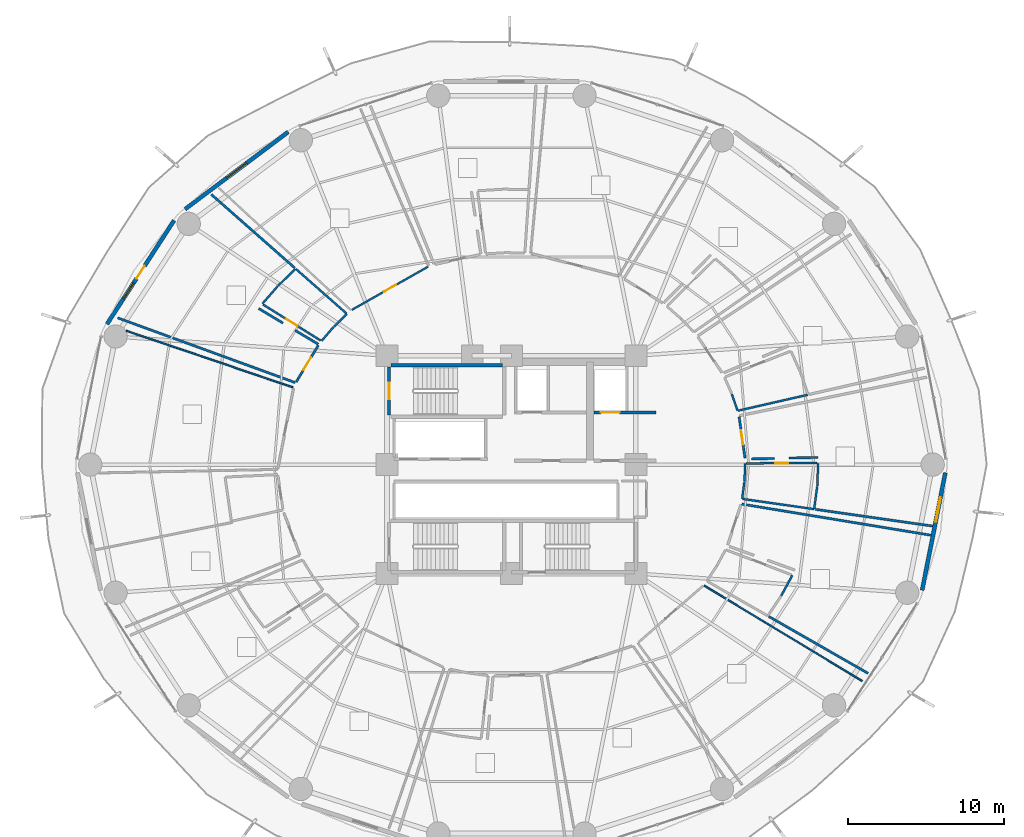
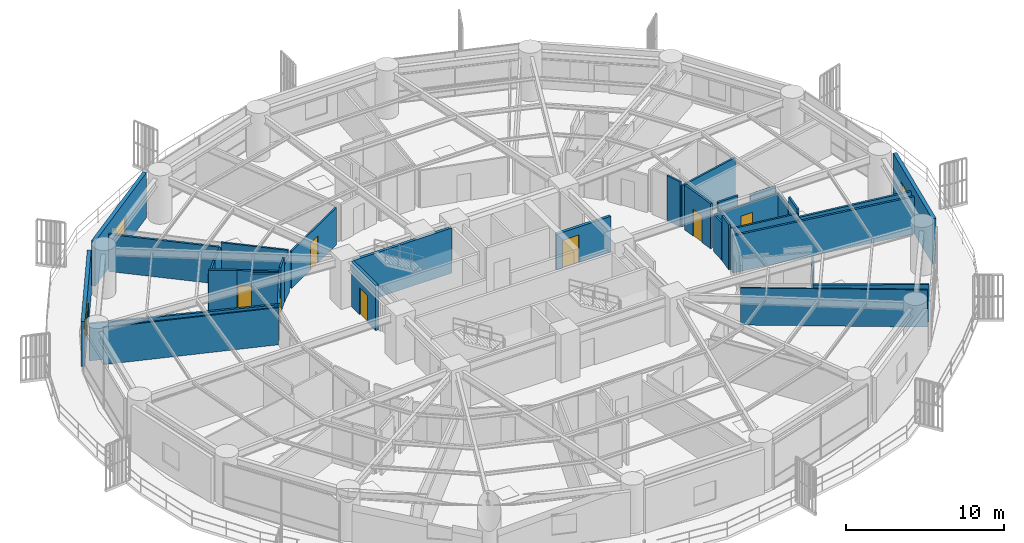
# One storey, part 25 of 33: 35 walls, 8 doors, 3 windows, 11 openings.
"""IFC4 building model written with IfcOpenShell, lengths in metres."""

from ifc_helpers import new_model, si_unit, direction, frame, frame_2d, origin, place, context, subcontext, project, spatial, rectangle, extrude, material, layer, layer_set, type_object, element, fill, save


model = new_model("IFC4")

# Units and contexts
model_context = context("Model", 3, precision=1e-05, world=origin(), true_north=direction((0.0, 1.0)))
body_context = subcontext(model_context, "Body", "Model", "MODEL_VIEW")
ifc_project = project(units=[si_unit("LENGTHUNIT", "METRE"), si_unit("AREAUNIT", "SQUARE_METRE"), si_unit("VOLUMEUNIT", "CUBIC_METRE"), si_unit("PLANEANGLEUNIT", "RADIAN"), si_unit("MASSUNIT", "GRAM", prefix="KILO")], contexts=[model_context])

# Site, building, storey
site_placement = place(None, origin())
site = spatial("IfcSite", under=ifc_project, at=site_placement, CompositionType="ELEMENT")
building_placement = place(site_placement, origin())
building = spatial("IfcBuilding", under=site, at=building_placement, Name="Kelanora Arch Commons", CompositionType="ELEMENT")
storey_placement = place(building_placement, frame((0.0, 0.0, 41.25)))
storey = spatial("IfcBuildingStorey", under=building, at=storey_placement, Name="L10", CompositionType="ELEMENT", Elevation=41.25)

# Wall, opening, door
ifc_material_1 = material(Name="Autoclaved aerated concrete blockwork with fire plaster", Category="masonry")
ifc_layer_1 = layer(ifc_material_1, 0.14990234375)
ifc_layer_set_1 = layer_set([ifc_layer_1], Name="Autoclaved aerated concrete blockwork with fire plaster")
wall_type_1 = type_object("IfcWallType", Name="W-COMP-150", PredefinedType="PARTITIONING", material=ifc_layer_set_1)
wall_1_placement = place(storey_placement, frame((61.5830078125, 65.669677734375, 0.0), z_axis=(0.0, 0.0, 1.0), x_axis=(-0.515343511704, -0.85698370168, 0.0)))
wall_1 = element("IfcWall", 1, at=wall_1_placement, inside=storey, type_object=wall_type_1, Name="Co-Living Studio L10-06 Entry Partition", PredefinedType="PARTITIONING", context=body_context, shape_type="SweptSolid", body=[
    extrude(rectangle(XDim=2.751953125, YDim=0.14990234375, at=frame_2d((1.3759765625, 0.0))), origin(), (0.0, 0.0, 1.0), 2.875),
])
opening_1_placement = place(wall_1_placement, frame((0.90087890625, 0.0, 0.0)))
opening_1 = element("IfcOpeningElement", 2, at=opening_1_placement, cuts=wall_1, Name="Opening D-CLU1", PredefinedType="OPENING", context=body_context, shape_type="SweptSolid", body=[
    extrude(rectangle(XDim=0.949951171875, YDim=2.080078125, at=frame_2d((0.47509765625, 1.0400390625))), frame((0.0, 0.0849609375, 0.0), z_axis=(0.0, -1.0, 0.0), x_axis=(1.0, 0.0, 0.0)), (0.0, 0.0, 1.0), 0.169921875),
])
ifc_material_2 = material(Name="Solid-core acoustic timber cluster entry fire door", Category="wood")
door_type_1 = type_object("IfcDoorType", Name="D-CLU-95", OperationType="NOTDEFINED", PredefinedType="DOOR", material=ifc_material_2)
door_1_placement = place(opening_1_placement, origin())
door_1 = element("IfcDoor", 3, at=door_1_placement, inside=storey, type_object=door_type_1, Name="Co-Living Studio L10-06 Door", OperationType="SINGLE_SWING_RIGHT", OverallHeight=2.080078125, OverallWidth=0.949951171875, PredefinedType="DOOR", context=body_context, shape_type="SweptSolid", body=[
    extrude(rectangle(XDim=0.949951171875, YDim=2.080078125, at=frame_2d((0.47509765625, 1.0400390625))), frame((0.0, 0.02490234375, 0.0), z_axis=(0.0, -1.0, 0.0), x_axis=(1.0, 0.0, 0.0)), (0.0, 0.0, 1.0), 0.050048828125),
])
fill(opening_1, door_1)

wall_2_placement = place(storey_placement, frame((89.0166015625, 58.414306640625, 0.0), z_axis=(0.0, 0.0, 1.0), x_axis=(-0.141700939895, 0.989909512851, 0.0)))
wall_2 = element("IfcWall", 4, at=wall_2_placement, inside=storey, type_object=wall_type_1, Name="Co-Living Studio L10-15 Entry Partition", PredefinedType="PARTITIONING", context=body_context, shape_type="SweptSolid", body=[
    extrude(rectangle(XDim=2.689453125, YDim=0.14990234375, at=frame_2d((1.3447265625, 0.0))), origin(), (0.0, 0.0, 1.0), 3.47998046875),
])
opening_2_placement = place(wall_2_placement, frame((0.8701171875, 0.0, 0.0)))
opening_2 = element("IfcOpeningElement", 5, at=opening_2_placement, cuts=wall_2, Name="Opening D-CLU1", PredefinedType="OPENING", context=body_context, shape_type="SweptSolid", body=[
    extrude(rectangle(XDim=0.949951171875, YDim=2.080078125, at=frame_2d((0.47509765625, 1.0400390625))), frame((0.0, 0.0849609375, 0.0), z_axis=(0.0, -1.0, 0.0), x_axis=(1.0, 0.0, 0.0)), (0.0, 0.0, 1.0), 0.169921875),
])
door_2_placement = place(opening_2_placement, origin())
door_2 = element("IfcDoor", 6, at=door_2_placement, inside=storey, type_object=door_type_1, Name="Co-Living Studio L10-15 Door", OperationType="SINGLE_SWING_RIGHT", OverallHeight=2.080078125, OverallWidth=0.949951171875, PredefinedType="DOOR", context=body_context, shape_type="SweptSolid", body=[
    extrude(rectangle(XDim=0.949951171875, YDim=2.080078125, at=frame_2d((0.47509765625, 1.0400390625))), frame((0.0, 0.02490234375, 0.0), z_axis=(0.0, -1.0, 0.0), x_axis=(1.0, 0.0, 0.0)), (0.0, 0.0, 1.0), 0.050048828125),
])
fill(opening_2, door_2)

# Walls
wall_3_placement = place(storey_placement, frame((60.096435546875, 63.273681640625, 0.0), z_axis=(0.0, 0.0, 1.0), x_axis=(-0.939512545551, 0.342514491304, 0.0)))
element("IfcWall", 7, at=wall_3_placement, inside=storey, type_object=wall_type_1, Name="Co-Living Studio L10-06 Enclosure Partition 2", PredefinedType="PARTITIONING", context=body_context, shape_type="SweptSolid", body=[
    extrude(rectangle(XDim=12.14453125, YDim=0.14990234375, at=frame_2d((6.072265625, 0.0))), origin(), (0.0, 0.0, 1.0), 2.875),
])
wall_4_placement = place(storey_placement, frame((54.700927734375, 75.37353515625, 0.0), z_axis=(0.0, 0.0, 1.0), x_axis=(0.750492781032, -0.660878646666, 0.0)))
element("IfcWall", 8, at=wall_4_placement, inside=storey, type_object=wall_type_1, Name="Co-Living Studio L10-06 Enclosure Partition 5", PredefinedType="PARTITIONING", context=body_context, shape_type="SweptSolid", body=[
    extrude(rectangle(XDim=7.154052734375, YDim=0.14990234375, at=frame_2d((3.5771484375, 0.0))), origin(), (0.0, 0.0, 1.0), 2.875),
])
wall_5_placement = place(storey_placement, frame((57.750244140625, 68.036376953125, 0.0), z_axis=(0.0, 0.0, 1.0), x_axis=(0.857787746423, -0.514004068161, 0.0)))
element("IfcWall", 9, at=wall_5_placement, inside=storey, type_object=wall_type_1, Name="Co-Living Studio L10-06 Enclosure Partition 7", PredefinedType="PARTITIONING", context=body_context, shape_type="SweptSolid", body=[
    extrude(rectangle(XDim=1.825927734375, YDim=0.14990234375, at=frame_2d((0.9130859375, 0.0))), origin(), (0.0, 0.0, 1.0), 3.47998046875),
])
wall_6_placement = place(storey_placement, frame((60.105712890625, 66.625, 0.0), z_axis=(0.0, 0.0, 1.0), x_axis=(0.8577560852, -0.514056901814, 0.0)))
element("IfcWall", 10, at=wall_6_placement, inside=storey, type_object=wall_type_1, Name="Co-Living Studio L10-06 Enclosure Partition 7", PredefinedType="PARTITIONING", context=body_context, shape_type="SweptSolid", body=[
    extrude(rectangle(XDim=1.71826171875, YDim=0.14990234375, at=frame_2d((0.859130859375, 0.0))), origin(), (0.0, 0.0, 1.0), 3.235107421875),
])
wall_7_placement = place(storey_placement, frame((88.80859375, 55.46240234375, 0.0), z_axis=(0.0, 0.0, 1.0), x_axis=(0.986716632482, -0.162450876217, 0.0)))
element("IfcWall", 11, at=wall_7_placement, inside=storey, type_object=wall_type_1, Name="Co-Living Studio L10-14 Enclosure Partition 2", PredefinedType="PARTITIONING", context=body_context, shape_type="SweptSolid", body=[
    extrude(rectangle(XDim=12.3173828125, YDim=0.14990234375, at=frame_2d((6.15869140625, 0.0))), origin(), (0.0, 0.0, 1.0), 2.875),
])
wall_8_placement = place(storey_placement, frame((96.933349609375, 44.579833984375, 0.0), z_axis=(0.0, 0.0, 1.0), x_axis=(-0.8678833592, 0.496768029188, 0.0)))
element("IfcWall", 12, at=wall_8_placement, inside=storey, type_object=wall_type_1, Name="Co-Living Studio L10-14 Enclosure Partition 5", PredefinedType="PARTITIONING", context=body_context, shape_type="SweptSolid", body=[
    extrude(rectangle(XDim=7.354248046875, YDim=0.14990234375, at=frame_2d((3.67724609375, 0.0))), origin(), (0.0, 0.0, 1.0), 2.875),
])
wall_9_placement = place(storey_placement, frame((101.079345703125, 54.0498046875, 0.0), z_axis=(0.0, 0.0, 1.0), x_axis=(-0.989977686675, 0.141223864432, 0.0)))
element("IfcWall", 13, at=wall_9_placement, inside=storey, type_object=wall_type_1, Name="Co-Living Studio L10-15 Enclosure Partition 5", PredefinedType="PARTITIONING", context=body_context, shape_type="SweptSolid", body=[
    extrude(rectangle(XDim=7.615234375, YDim=0.14990234375, at=frame_2d((3.8076171875, 0.0))), origin(), (0.0, 0.0, 1.0), 2.875),
])
wall_10_placement = place(storey_placement, frame((93.714111328125, 58.462158203125, 0.0), z_axis=(0.0, 0.0, 1.0), x_axis=(-0.999738877823, -0.02285117435, 0.0)))
element("IfcWall", 14, at=wall_10_placement, inside=storey, type_object=wall_type_1, Name="Co-Living Studio L10-15 Enclosure Partition 7", PredefinedType="PARTITIONING", context=body_context, shape_type="SweptSolid", body=[
    extrude(rectangle(XDim=1.88037109375, YDim=0.14990234375, at=frame_2d((0.940185546875, 0.0))), origin(), (0.0, 0.0, 1.0), 3.175048828125),
])
wall_11_placement = place(storey_placement, frame((90.914306640625, 58.398193359375, 0.0), z_axis=(0.0, 0.0, 1.0), x_axis=(-0.999738792571, -0.022854903814, 0.0)))
element("IfcWall", 15, at=wall_11_placement, inside=storey, type_object=wall_type_1, Name="Co-Living Studio L10-15 Enclosure Partition 7", PredefinedType="PARTITIONING", context=body_context, shape_type="SweptSolid", body=[
    extrude(rectangle(XDim=1.49560546875, YDim=0.14990234375, at=frame_2d((0.747802734375, 0.0))), origin(), (0.0, 0.0, 1.0), 3.47998046875),
])

# Wall, opening, window
ifc_material_3 = material(Name="Precast concrete C40/50 with terracotta rainscreen", Category="masonry")
ifc_layer_2 = layer(ifc_material_3, 0.260009765625)
ifc_layer_set_2 = layer_set([ifc_layer_2], Name="Precast concrete C40/50 with terracotta rainscreen")
wall_type_2 = type_object("IfcWallType", Name="W-EXT-TC", PredefinedType="SOLIDWALL", material=ifc_layer_set_2)
wall_12_placement = place(storey_placement, frame((59.651123046875, 79.38916015625, 0.0), z_axis=(0.0, 0.0, 1.0), x_axis=(-0.80030733173, -0.599590005569, 0.0)))
wall_12 = element("IfcWall", 16, at=wall_12_placement, inside=storey, type_object=wall_type_2, Name="Terracotta Exterior Wall L10-B06", PredefinedType="SOLIDWALL", context=body_context, shape_type="SweptSolid", body=[
    extrude(rectangle(XDim=8.29052734375, YDim=0.260009765625, at=frame_2d((4.145263671875, 0.0))), origin(), (0.0, 0.0, 1.0), 3.47509765625),
])
opening_3_placement = place(wall_12_placement, frame((3.344970703125, 0.0, 0.85009765625)))
opening_3 = element("IfcOpeningElement", 17, at=opening_3_placement, cuts=wall_12, Name="Opening WN-01", PredefinedType="OPENING", context=body_context, shape_type="SweptSolid", body=[
    extrude(rectangle(XDim=1.60009765625, YDim=1.449951171875, at=frame_2d((0.800048828125, 0.72509765625))), frame((0.0, 0.14013671875, 0.0), z_axis=(0.0, -1.0, 0.0), x_axis=(1.0, 0.0, 0.0)), (0.0, 0.0, 1.0), 0.280029296875),
])
ifc_material_4 = material(Name="Terracotta-anodised aluminium frame with operable low-E glazing", Category="masonry")
window_type_1 = type_object("IfcWindowType", Name="WIN-CL-18", PartitioningType="DOUBLE_PANEL_VERTICAL", PredefinedType="WINDOW", material=ifc_material_4)
window_1_placement = place(opening_3_placement, origin())
window_1 = element("IfcWindow", 18, at=window_1_placement, inside=storey, type_object=window_type_1, Name="Co-Living Operable Window L10-B06", OverallHeight=1.449951171875, OverallWidth=1.60009765625, PartitioningType="SINGLE_PANEL", PredefinedType="WINDOW", context=body_context, shape_type="SweptSolid", body=[
    extrude(rectangle(XDim=1.60009765625, YDim=1.449951171875, at=frame_2d((0.800048828125, 0.72509765625))), frame((0.0, 0.030029296875, 0.0), z_axis=(0.0, -1.0, 0.0), x_axis=(1.0, 0.0, 0.0)), (0.0, 0.0, 1.0), 0.06005859375),
])
fill(opening_3, window_1)

# Wall, openings, door, window
wall_13_placement = place(storey_placement, frame((52.310791015625, 73.698486328125, 0.0), z_axis=(0.0, 0.0, 1.0), x_axis=(-0.543005114258, -0.839729388488, 0.0)))
wall_13 = element("IfcWall", 19, at=wall_13_placement, inside=storey, type_object=wall_type_2, Name="Terracotta Exterior Wall L10-B07", PredefinedType="SOLIDWALL", context=body_context, shape_type="SweptSolid", body=[
    extrude(rectangle(XDim=7.9375, YDim=0.260009765625, at=frame_2d((3.96875, 0.0))), origin(), (0.0, 0.0, 1.0), 3.47509765625),
])
opening_4_placement = place(wall_13_placement, frame((3.493896484375, 0.0, 0.0)))
opening_4 = element("IfcOpeningElement", 20, at=opening_4_placement, cuts=wall_13, Name="Opening DB-01", PredefinedType="OPENING", context=body_context, shape_type="SweptSolid", body=[
    extrude(rectangle(XDim=0.949951171875, YDim=2.10009765625, at=frame_2d((0.47509765625, 1.050048828125))), frame((0.0, 0.14013671875, 0.0), z_axis=(0.0, -1.0, 0.0), x_axis=(1.0, 0.0, 0.0)), (0.0, 0.0, 1.0), 0.280029296875),
])
opening_5_placement = place(wall_13_placement, frame((4.7939453125, 0.0, 0.85009765625)))
opening_5 = element("IfcOpeningElement", 21, at=opening_5_placement, cuts=wall_13, Name="Opening WN-02", PredefinedType="OPENING", context=body_context, shape_type="SweptSolid", body=[
    extrude(rectangle(XDim=1.199951171875, YDim=1.449951171875, at=frame_2d((0.60009765625, 0.72509765625))), frame((0.0, 0.14013671875, 0.0), z_axis=(0.0, -1.0, 0.0), x_axis=(1.0, 0.0, 0.0)), (0.0, 0.0, 1.0), 0.280029296875),
])
ifc_material_5 = material(Name="Terracotta-aluminium thermally broken glazed balcony door", Category="masonry")
door_type_2 = type_object("IfcDoorType", Name="D-BAL-10", OperationType="NOTDEFINED", PredefinedType="DOOR", material=ifc_material_5)
door_3_placement = place(opening_4_placement, frame((0.949951171875, 0.0, 0.0), z_axis=(0.0, 0.0, 1.0), x_axis=(-1.0, 0.0, 0.0)))
door_3 = element("IfcDoor", 22, at=door_3_placement, inside=storey, type_object=door_type_2, Name="Wave Balcony Door L10-B07", OperationType="SINGLE_SWING_RIGHT", OverallHeight=2.10009765625, OverallWidth=0.949951171875, PredefinedType="DOOR", context=body_context, shape_type="SweptSolid", body=[
    extrude(rectangle(XDim=0.949951171875, YDim=2.10009765625, at=frame_2d((0.47509765625, 1.050048828125))), frame((0.0, 0.02490234375, 0.0), z_axis=(0.0, -1.0, 0.0), x_axis=(1.0, 0.0, 0.0)), (0.0, 0.0, 1.0), 0.050048828125),
])
fill(opening_4, door_3)
ifc_material_6 = material(Name="Terracotta-anodised aluminium frame with operable awning sash", Category="masonry")
window_type_2 = type_object("IfcWindowType", Name="WIN-CL-12", PartitioningType="SINGLE_PANEL", PredefinedType="WINDOW", material=ifc_material_6)
window_2_placement = place(opening_5_placement, origin())
window_2 = element("IfcWindow", 23, at=window_2_placement, inside=storey, type_object=window_type_2, Name="Co-Living Operable Window L10-B07", OverallHeight=1.449951171875, OverallWidth=1.199951171875, PartitioningType="SINGLE_PANEL", PredefinedType="WINDOW", context=body_context, shape_type="SweptSolid", body=[
    extrude(rectangle(XDim=1.199951171875, YDim=1.449951171875, at=frame_2d((0.60009765625, 0.72509765625))), frame((0.0, 0.030029296875, 0.0), z_axis=(0.0, -1.0, 0.0), x_axis=(1.0, 0.0, 0.0)), (0.0, 0.0, 1.0), 0.06005859375),
])
fill(opening_5, window_2)

# Wall, opening, window
wall_14_placement = place(storey_placement, frame((100.404296875, 49.919921875, 0.0), z_axis=(0.0, 0.0, 1.0), x_axis=(0.193726159581, 0.98105564322, 0.0)))
wall_14 = element("IfcWall", 24, at=wall_14_placement, inside=storey, type_object=wall_type_2, Name="Terracotta Exterior Wall L10-B17", PredefinedType="SOLIDWALL", context=body_context, shape_type="SweptSolid", body=[
    extrude(rectangle(XDim=7.70263671875, YDim=0.260009765625, at=frame_2d((3.851318359375, 0.0))), origin(), (0.0, 0.0, 1.0), 3.47509765625),
])
opening_6_placement = place(wall_14_placement, frame((4.490966796875, 0.0, 0.85009765625)))
opening_6 = element("IfcOpeningElement", 25, at=opening_6_placement, cuts=wall_14, Name="Opening WN-01", PredefinedType="OPENING", context=body_context, shape_type="SweptSolid", body=[
    extrude(rectangle(XDim=1.60009765625, YDim=1.449951171875, at=frame_2d((0.800048828125, 0.72509765625))), frame((0.0, 0.14013671875, 0.0), z_axis=(0.0, -1.0, 0.0), x_axis=(1.0, 0.0, 0.0)), (0.0, 0.0, 1.0), 0.280029296875),
])
window_3_placement = place(opening_6_placement, origin())
window_3 = element("IfcWindow", 26, at=window_3_placement, inside=storey, type_object=window_type_1, Name="Co-Living Operable Window L10-B17", OverallHeight=1.449951171875, OverallWidth=1.60009765625, PartitioningType="SINGLE_PANEL", PredefinedType="WINDOW", context=body_context, shape_type="SweptSolid", body=[
    extrude(rectangle(XDim=1.60009765625, YDim=1.449951171875, at=frame_2d((0.800048828125, 0.72509765625))), frame((0.0, 0.030029296875, 0.0), z_axis=(0.0, -1.0, 0.0), x_axis=(1.0, 0.0, 0.0)), (0.0, 0.0, 1.0), 0.06005859375),
])
fill(opening_6, window_3)

# Wall, opening, door
ifc_material_7 = material(Name="Concrete C40/50", Category="concrete")
ifc_layer_3 = layer(ifc_material_7, 0.199951171875)
ifc_layer_set_3 = layer_set([ifc_layer_3], Name="Concrete C40/50")
wall_type_3 = type_object("IfcWallType", Name="W-FFL-200", PredefinedType="SOLIDWALL", material=ifc_layer_set_3)
wall_15_placement = place(storey_placement, frame((79.300048828125, 61.35009765625, 0.0), z_axis=(0.0, 0.0, 1.0), x_axis=(1.0, 0.0, 0.0)))
wall_15 = element("IfcWall", 27, at=wall_15_placement, inside=storey, type_object=wall_type_3, Name="Firefighting Lift 2 Shaft Front L10", PredefinedType="SOLIDWALL", context=body_context, shape_type="SweptSolid", body=[
    extrude(rectangle(XDim=4.0, YDim=0.199951171875, at=frame_2d((2.0, 0.0))), origin(), (0.0, 0.0, 1.0), 2.77490234375),
])
opening_7_placement = place(wall_15_placement, frame((0.449951171875, 0.0, 0.0)))
opening_7 = element("IfcOpeningElement", 28, at=opening_7_placement, cuts=wall_15, Name="Opening LD-FF", PredefinedType="OPENING", context=body_context, shape_type="SweptSolid", body=[
    extrude(rectangle(XDim=1.199951171875, YDim=2.14990234375, at=frame_2d((0.60009765625, 1.074951171875))), frame((0.0, 0.10986328125, 0.0), z_axis=(0.0, -1.0, 0.0), x_axis=(1.0, 0.0, 0.0)), (0.0, 0.0, 1.0), 0.219970703125),
])
ifc_material_8 = material(Name="Fire-rated firefighters lift sliding landing door")
door_type_3 = type_object("IfcDoorType", Name="D-LIFT-FF", OperationType="NOTDEFINED", PredefinedType="DOOR", material=ifc_material_8)
door_4_placement = place(opening_7_placement, origin())
door_4 = element("IfcDoor", 29, at=door_4_placement, inside=storey, type_object=door_type_3, Name="Firefighting Lift LF-FF2 Landing Door L10", OperationType="DOUBLE_DOOR_SLIDING", OverallHeight=2.14990234375, OverallWidth=1.199951171875, PredefinedType="DOOR", context=body_context, shape_type="SweptSolid", body=[
    extrude(rectangle(XDim=1.199951171875, YDim=2.14990234375, at=frame_2d((0.60009765625, 1.074951171875))), frame((0.0, 0.02490234375, 0.0), z_axis=(0.0, -1.0, 0.0), x_axis=(1.0, 0.0, 0.0)), (0.0, 0.0, 1.0), 0.050048828125),
])
fill(opening_7, door_4)

# Walls
ifc_material_9 = material(Name="Lightweight fire-rated acoustic stud partition")
ifc_layer_4 = layer(ifc_material_9, 0.10009765625)
ifc_layer_set_4 = layer_set([ifc_layer_4], Name="Lightweight fire-rated acoustic stud partition")
wall_type_4 = type_object("IfcWallType", Name="W-PART-100", PredefinedType="PARTITIONING", material=ifc_layer_set_4)
wall_16_placement = place(storey_placement, frame((49.23291015625, 66.60791015625, 0.0), z_axis=(0.0, 0.0, 1.0), x_axis=(0.946848647549, -0.321679403499, 0.0)))
element("IfcWall", 30, at=wall_16_placement, inside=storey, type_object=wall_type_4, Name="Quiet Seminar Study Room L10-07 Enclosure Partition 4", PredefinedType="PARTITIONING", context=body_context, shape_type="SweptSolid", body=[
    extrude(rectangle(XDim=11.328125, YDim=0.10009765625, at=frame_2d((5.6640625, 0.0))), origin(), (0.0, 0.0, 1.0), 2.875),
])
wall_17_placement = place(storey_placement, frame((86.39111328125, 50.22021484375, 0.0), z_axis=(0.0, 0.0, 1.0), x_axis=(0.856195030458, -0.516652755551, 0.0)))
element("IfcWall", 31, at=wall_17_placement, inside=storey, type_object=wall_type_4, Name="Quiet Seminar Study Room L10-13 Enclosure Partition 2", PredefinedType="PARTITIONING", context=body_context, shape_type="SweptSolid", body=[
    extrude(rectangle(XDim=11.87548828125, YDim=0.10009765625, at=frame_2d((5.937744140625, 0.0))), origin(), (0.0, 0.0, 1.0), 2.875),
])

# Wall, opening, door
ifc_material_10 = material(Name="Acoustic twin-stud fire-rated gypsum partition")
ifc_layer_5 = layer(ifc_material_10, 0.1201171875)
ifc_layer_set_5 = layer_set([ifc_layer_5], Name="Acoustic twin-stud fire-rated gypsum partition")
wall_type_5 = type_object("IfcWallType", Name="W-PART-120", PredefinedType="PARTITIONING", material=ifc_layer_set_5)
wall_18_placement = place(storey_placement, frame((68.634765625, 70.720458984375, 0.0), z_axis=(0.0, 0.0, 1.0), x_axis=(-0.870068136537, -0.49293147372, 0.0)))
wall_18 = element("IfcWall", 32, at=wall_18_placement, inside=storey, type_object=wall_type_5, Name="Social Sky Lounge L10-05 Entry Partition", PredefinedType="PARTITIONING", context=body_context, shape_type="SweptSolid", body=[
    extrude(rectangle(XDim=5.620849609375, YDim=0.1201171875, at=frame_2d((2.810546875, 0.0))), origin(), (0.0, 0.0, 1.0), 2.875),
])
opening_8_placement = place(wall_18_placement, frame((2.360107421875, 0.0, 0.0)))
opening_8 = element("IfcOpeningElement", 33, at=opening_8_placement, cuts=wall_18, Name="Opening D-RM1", PredefinedType="OPENING", context=body_context, shape_type="SweptSolid", body=[
    extrude(rectangle(XDim=0.89990234375, YDim=2.080078125, at=frame_2d((0.449951171875, 1.0400390625))), frame((0.0, 0.070068359375, 0.0), z_axis=(0.0, -1.0, 0.0), x_axis=(1.0, 0.0, 0.0)), (0.0, 0.0, 1.0), 0.14013671875),
])
ifc_material_11 = material(Name="Acoustic fire-rated timber study and lounge door", Category="wood")
door_type_4 = type_object("IfcDoorType", Name="D-ROOM-90", OperationType="NOTDEFINED", PredefinedType="DOOR", material=ifc_material_11)
door_5_placement = place(opening_8_placement, origin())
door_5 = element("IfcDoor", 34, at=door_5_placement, inside=storey, type_object=door_type_4, Name="Social Sky Lounge L10-05 Door", OperationType="SINGLE_SWING_RIGHT", OverallHeight=2.080078125, OverallWidth=0.89990234375, PredefinedType="DOOR", context=body_context, shape_type="SweptSolid", body=[
    extrude(rectangle(XDim=0.89990234375, YDim=2.080078125, at=frame_2d((0.449951171875, 1.0400390625))), frame((0.0, 0.02490234375, 0.0), z_axis=(0.0, -1.0, 0.0), x_axis=(1.0, 0.0, 0.0)), (0.0, 0.0, 1.0), 0.050048828125),
])
fill(opening_8, door_5)

# Wall
ifc_layer_6 = layer(ifc_material_7, 0.199951171875)
ifc_layer_set_6 = layer_set([ifc_layer_6], Name="Concrete C40/50")
wall_type_6 = type_object("IfcWallType", Name="W-STAIR-200", PredefinedType="SHEAR", material=ifc_layer_set_6)
wall_19_placement = place(storey_placement, frame((73.419921875, 64.389892578125, 0.0), z_axis=(0.0, 0.0, 1.0), x_axis=(-1.0, 0.0, 0.0)))
element("IfcWall", 35, at=wall_19_placement, inside=storey, type_object=wall_type_6, Name="Stair ST-T1 Shaft Wall N L10", PredefinedType="SHEAR", context=body_context, shape_type="SweptSolid", body=[
    extrude(rectangle(XDim=7.159912109375, YDim=0.199951171875, at=frame_2d((3.580078125, 0.0))), origin(), (0.0, 0.0, 1.0), 3.489990234375),
])

# Wall, opening, door
wall_20_placement = place(storey_placement, frame((66.139892578125, 64.27001953125, 0.0), z_axis=(0.0, 0.0, 1.0), x_axis=(0.0, -1.0, 0.0)))
wall_20 = element("IfcWall", 36, at=wall_20_placement, inside=storey, type_object=wall_type_6, Name="Stair ST-T1 Shaft Wall W L10", PredefinedType="SHEAR", context=body_context, shape_type="SweptSolid", body=[
    extrude(rectangle(XDim=3.070068359375, YDim=0.199951171875, at=frame_2d((1.53515625, 0.0))), origin(), (0.0, 0.0, 1.0), 3.489990234375),
])
opening_9_placement = place(wall_20_placement, frame((1.010009765625, 0.0, 0.0)))
opening_9 = element("IfcOpeningElement", 37, at=opening_9_placement, cuts=wall_20, Name="Opening D-ST1", PredefinedType="OPENING", context=body_context, shape_type="SweptSolid", body=[
    extrude(rectangle(XDim=1.050048828125, YDim=2.10009765625, at=frame_2d((0.52490234375, 1.050048828125))), frame((0.0, 0.10986328125, 0.0), z_axis=(0.0, -1.0, 0.0), x_axis=(1.0, 0.0, 0.0)), (0.0, 0.0, 1.0), 0.219970703125),
])
ifc_material_12 = material(Name="Steel fire-rated stairwell escape door", Category="steel")
door_type_5 = type_object("IfcDoorType", Name="D-STAIR-110", OperationType="NOTDEFINED", PredefinedType="DOOR", material=ifc_material_12)
door_6_placement = place(opening_9_placement, origin())
door_6 = element("IfcDoor", 38, at=door_6_placement, inside=storey, type_object=door_type_5, Name="Stair ST-T1 Escape Door L10", OperationType="SINGLE_SWING_LEFT", OverallHeight=2.10009765625, OverallWidth=1.050048828125, PredefinedType="DOOR", context=body_context, shape_type="SweptSolid", body=[
    extrude(rectangle(XDim=1.050048828125, YDim=2.10009765625, at=frame_2d((0.52490234375, 1.050048828125))), frame((0.0, 0.02490234375, 0.0), z_axis=(0.0, -1.0, 0.0), x_axis=(1.0, 0.0, 0.0)), (0.0, 0.0, 1.0), 0.050048828125),
])
fill(opening_9, door_6)

ifc_material_13 = material(Name="Moisture-resistant fire-rated cement-board plumbing wall")
ifc_layer_7 = layer(ifc_material_13, 0.1298828125)
ifc_layer_set_7 = layer_set([ifc_layer_7], Name="Moisture-resistant fire-rated cement-board plumbing wall")
wall_type_7 = type_object("IfcWallType", Name="W-WET-120", PredefinedType="PLUMBINGWALL", material=ifc_layer_set_7)
wall_21_placement = place(storey_placement, frame((61.737060546875, 65.976806640625, 0.0), z_axis=(0.0, 0.0, 1.0), x_axis=(-0.848252205707, 0.529592480605, 0.0)))
wall_21 = element("IfcWall", 39, at=wall_21_placement, inside=storey, type_object=wall_type_7, Name="En-Suite Shower WC L10-06 Entry Partition", PredefinedType="PLUMBINGWALL", context=body_context, shape_type="SweptSolid", body=[
    extrude(rectangle(XDim=4.3740234375, YDim=0.1298828125, at=frame_2d((2.18701171875, 0.0))), origin(), (0.0, 0.0, 1.0), 3.235107421875),
])
opening_10_placement = place(wall_21_placement, frame((1.757080078125, 0.0, 0.0)))
opening_10 = element("IfcOpeningElement", 40, at=opening_10_placement, cuts=wall_21, Name="Opening D-BT1", PredefinedType="OPENING", context=body_context, shape_type="SweptSolid", body=[
    extrude(rectangle(XDim=0.860107421875, YDim=2.050048828125, at=frame_2d((0.43017578125, 1.02490234375))), frame((0.0, 0.074951171875, 0.0), z_axis=(0.0, -1.0, 0.0), x_axis=(1.0, 0.0, 0.0)), (0.0, 0.0, 1.0), 0.14990234375),
])
ifc_material_14 = material(Name="Moisture-sealed fire-rated accessible bathroom door")
door_type_6 = type_object("IfcDoorType", Name="D-BATH-85", OperationType="NOTDEFINED", PredefinedType="DOOR", material=ifc_material_14)
door_7_placement = place(opening_10_placement, origin())
door_7 = element("IfcDoor", 41, at=door_7_placement, inside=storey, type_object=door_type_6, Name="En-Suite Shower WC L10-06 Door", OperationType="SINGLE_SWING_LEFT", OverallHeight=2.050048828125, OverallWidth=0.860107421875, PredefinedType="DOOR", context=body_context, shape_type="SweptSolid", body=[
    extrude(rectangle(XDim=0.860107421875, YDim=2.050048828125, at=frame_2d((0.43017578125, 1.02490234375))), frame((0.0, 0.02490234375, 0.0), z_axis=(0.0, -1.0, 0.0), x_axis=(1.0, 0.0, 0.0)), (0.0, 0.0, 1.0), 0.050048828125),
])
fill(opening_10, door_7)

wall_22_placement = place(storey_placement, frame((89.090087890625, 58.082275390625, 0.0), z_axis=(0.0, 0.0, 1.0), x_axis=(0.999986853825, 0.005127589892, 0.0)))
wall_22 = element("IfcWall", 42, at=wall_22_placement, inside=storey, type_object=wall_type_7, Name="En-Suite Shower WC L10-15 Entry Partition", PredefinedType="PLUMBINGWALL", context=body_context, shape_type="SweptSolid", body=[
    extrude(rectangle(XDim=4.57080078125, YDim=0.1298828125, at=frame_2d((2.285400390625, 0.0))), origin(), (0.0, 0.0, 1.0), 2.875),
])
opening_11_placement = place(wall_22_placement, frame((1.85595703125, 0.0, 0.0)))
opening_11 = element("IfcOpeningElement", 43, at=opening_11_placement, cuts=wall_22, Name="Opening D-BT1", PredefinedType="OPENING", context=body_context, shape_type="SweptSolid", body=[
    extrude(rectangle(XDim=0.860107421875, YDim=2.050048828125, at=frame_2d((0.43017578125, 1.02490234375))), frame((0.0, 0.074951171875, 0.0), z_axis=(0.0, -1.0, 0.0), x_axis=(1.0, 0.0, 0.0)), (0.0, 0.0, 1.0), 0.14990234375),
])
door_8_placement = place(opening_11_placement, origin())
door_8 = element("IfcDoor", 44, at=door_8_placement, inside=storey, type_object=door_type_6, Name="En-Suite Shower WC L10-15 Door", OperationType="SINGLE_SWING_LEFT", OverallHeight=2.050048828125, OverallWidth=0.860107421875, PredefinedType="DOOR", context=body_context, shape_type="SweptSolid", body=[
    extrude(rectangle(XDim=0.860107421875, YDim=2.050048828125, at=frame_2d((0.43017578125, 1.02490234375))), frame((0.0, 0.02490234375, 0.0), z_axis=(0.0, -1.0, 0.0), x_axis=(1.0, 0.0, 0.0)), (0.0, 0.0, 1.0), 0.050048828125),
])
fill(opening_11, door_8)

# Walls
wall_23_placement = place(storey_placement, frame((88.531494140625, 61.477783203125, 0.0), z_axis=(0.0, 0.0, 1.0), x_axis=(-0.321334824054, 0.946965643965, 0.0)))
element("IfcWall", 45, at=wall_23_placement, inside=storey, type_object=wall_type_7, Name="En-Suite Shower WC L10-01 Enclosure Partition 1", PredefinedType="PLUMBINGWALL", context=body_context, shape_type="SweptSolid", body=[
    extrude(rectangle(XDim=1.11767578125, YDim=0.1298828125, at=frame_2d((0.558837890625, 0.0))), origin(), (0.0, 0.0, 1.0), 3.47998046875),
])
wall_24_placement = place(storey_placement, frame((93.055419921875, 62.490478515625, 0.0), z_axis=(0.0, 0.0, 1.0), x_axis=(-0.974904137442, -0.222625072259, 0.0)))
element("IfcWall", 46, at=wall_24_placement, inside=storey, type_object=wall_type_7, Name="En-Suite Shower WC L10-01 Enclosure Partition 6", PredefinedType="PLUMBINGWALL", context=body_context, shape_type="SweptSolid", body=[
    extrude(rectangle(XDim=4.613525390625, YDim=0.1298828125, at=frame_2d((2.306640625, 0.0))), origin(), (0.0, 0.0, 1.0), 3.175048828125),
])
wall_25_placement = place(storey_placement, frame((63.413818359375, 67.674072265625, 0.0), z_axis=(0.0, 0.0, 1.0), x_axis=(-0.715868961368, -0.698234652642, 0.0)))
element("IfcWall", 47, at=wall_25_placement, inside=storey, type_object=wall_type_7, Name="En-Suite Shower WC L10-06 Enclosure Partition 1", PredefinedType="PLUMBINGWALL", context=body_context, shape_type="SweptSolid", body=[
    extrude(rectangle(XDim=1.162841796875, YDim=0.1298828125, at=frame_2d((0.58154296875, 0.0))), origin(), (0.0, 0.0, 1.0), 2.875),
])
wall_26_placement = place(storey_placement, frame((62.553955078125, 66.8330078125, 0.0), z_axis=(0.0, 0.0, 1.0), x_axis=(-0.6531951623, -0.757189593133, 0.0)))
element("IfcWall", 48, at=wall_26_placement, inside=storey, type_object=wall_type_7, Name="En-Suite Shower WC L10-06 Enclosure Partition 2", PredefinedType="PLUMBINGWALL", context=body_context, shape_type="SweptSolid", body=[
    extrude(rectangle(XDim=1.152587890625, YDim=0.1298828125, at=frame_2d((0.576171875, 0.0))), origin(), (0.0, 0.0, 1.0), 3.47998046875),
])
wall_27_placement = place(storey_placement, frame((57.989013671875, 68.340087890625, 0.0), z_axis=(0.0, 0.0, 1.0), x_axis=(0.657010944672, 0.75388103742, 0.0)))
element("IfcWall", 49, at=wall_27_placement, inside=storey, type_object=wall_type_7, Name="En-Suite Shower WC L10-06 Enclosure Partition 4", PredefinedType="PLUMBINGWALL", context=body_context, shape_type="SweptSolid", body=[
    extrude(rectangle(XDim=1.517333984375, YDim=0.1298828125, at=frame_2d((0.7587890625, 0.0))), origin(), (0.0, 0.0, 1.0), 2.875),
])
wall_28_placement = place(storey_placement, frame((59.013427734375, 69.512939453125, 0.0), z_axis=(0.0, 0.0, 1.0), x_axis=(0.719052166998, 0.69495610015, 0.0)))
element("IfcWall", 50, at=wall_28_placement, inside=storey, type_object=wall_type_7, Name="En-Suite Shower WC L10-06 Enclosure Partition 5", PredefinedType="PLUMBINGWALL", context=body_context, shape_type="SweptSolid", body=[
    extrude(rectangle(XDim=1.530029296875, YDim=0.1298828125, at=frame_2d((0.76513671875, 0.0))), origin(), (0.0, 0.0, 1.0), 2.875),
])
wall_29_placement = place(storey_placement, frame((60.14306640625, 70.576904296875, 0.0), z_axis=(0.0, 0.0, 1.0), x_axis=(0.750928130077, -0.660383936403, 0.0)))
element("IfcWall", 51, at=wall_29_placement, inside=storey, type_object=wall_type_7, Name="En-Suite Shower WC L10-06 Enclosure Partition 6", PredefinedType="PLUMBINGWALL", context=body_context, shape_type="SweptSolid", body=[
    extrude(rectangle(XDim=4.354736328125, YDim=0.1298828125, at=frame_2d((2.17724609375, 0.0))), origin(), (0.0, 0.0, 1.0), 3.235107421875),
])
wall_30_placement = place(storey_placement, frame((92.054443359375, 50.87548828125, 0.0), z_axis=(0.0, 0.0, 1.0), x_axis=(-0.47818376891, -0.878259803903, 0.0)))
element("IfcWall", 52, at=wall_30_placement, inside=storey, type_object=wall_type_7, Name="En-Suite Shower WC L10-14 Enclosure Partition 4", PredefinedType="PLUMBINGWALL", context=body_context, shape_type="SweptSolid", body=[
    extrude(rectangle(XDim=1.484619140625, YDim=0.1298828125, at=frame_2d((0.7421875, 0.0))), origin(), (0.0, 0.0, 1.0), 2.875),
])
wall_31_placement = place(storey_placement, frame((88.834716796875, 55.81689453125, 0.0), z_axis=(0.0, 0.0, 1.0), x_axis=(0.132293485363, 0.991210590001, 0.0)))
element("IfcWall", 53, at=wall_31_placement, inside=storey, type_object=wall_type_7, Name="En-Suite Shower WC L10-15 Enclosure Partition 1", PredefinedType="PLUMBINGWALL", context=body_context, shape_type="SweptSolid", body=[
    extrude(rectangle(XDim=1.109130859375, YDim=0.1298828125, at=frame_2d((0.5546875, 0.0))), origin(), (0.0, 0.0, 1.0), 3.47998046875),
])
wall_32_placement = place(storey_placement, frame((88.98486328125, 56.9560546875, 0.0), z_axis=(0.0, 0.0, 1.0), x_axis=(0.040144213929, 0.999193896142, 0.0)))
element("IfcWall", 54, at=wall_32_placement, inside=storey, type_object=wall_type_7, Name="En-Suite Shower WC L10-15 Enclosure Partition 2", PredefinedType="PLUMBINGWALL", context=body_context, shape_type="SweptSolid", body=[
    extrude(rectangle(XDim=1.10693359375, YDim=0.1298828125, at=frame_2d((0.553466796875, 0.0))), origin(), (0.0, 0.0, 1.0), 2.875),
])
wall_33_placement = place(storey_placement, frame((93.72021484375, 58.0859375, 0.0), z_axis=(0.0, 0.0, 1.0), x_axis=(-0.040236975473, -0.999190164986, 0.0)))
element("IfcWall", 55, at=wall_33_placement, inside=storey, type_object=wall_type_7, Name="En-Suite Shower WC L10-15 Enclosure Partition 4", PredefinedType="PLUMBINGWALL", context=body_context, shape_type="SweptSolid", body=[
    extrude(rectangle(XDim=1.4501953125, YDim=0.1298828125, at=frame_2d((0.72509765625, 0.0))), origin(), (0.0, 0.0, 1.0), 2.875),
])
wall_34_placement = place(storey_placement, frame((93.658203125, 56.59716796875, 0.0), z_axis=(0.0, 0.0, 1.0), x_axis=(-0.13329771049, -0.991076041673, 0.0)))
element("IfcWall", 56, at=wall_34_placement, inside=storey, type_object=wall_type_7, Name="En-Suite Shower WC L10-15 Enclosure Partition 5", PredefinedType="PLUMBINGWALL", context=body_context, shape_type="SweptSolid", body=[
    extrude(rectangle(XDim=1.452392578125, YDim=0.1298828125, at=frame_2d((0.72607421875, 0.0))), origin(), (0.0, 0.0, 1.0), 3.47998046875),
])
wall_35_placement = place(storey_placement, frame((93.442138671875, 55.140869140625, 0.0), z_axis=(0.0, 0.0, 1.0), x_axis=(-0.990023076451, 0.140905316061, 0.0)))
element("IfcWall", 57, at=wall_35_placement, inside=storey, type_object=wall_type_7, Name="En-Suite Shower WC L10-15 Enclosure Partition 6", PredefinedType="PLUMBINGWALL", context=body_context, shape_type="SweptSolid", body=[
    extrude(rectangle(XDim=4.636474609375, YDim=0.1298828125, at=frame_2d((2.318359375, 0.0))), origin(), (0.0, 0.0, 1.0), 3.175048828125),
])

save(model, "model.ifc")
